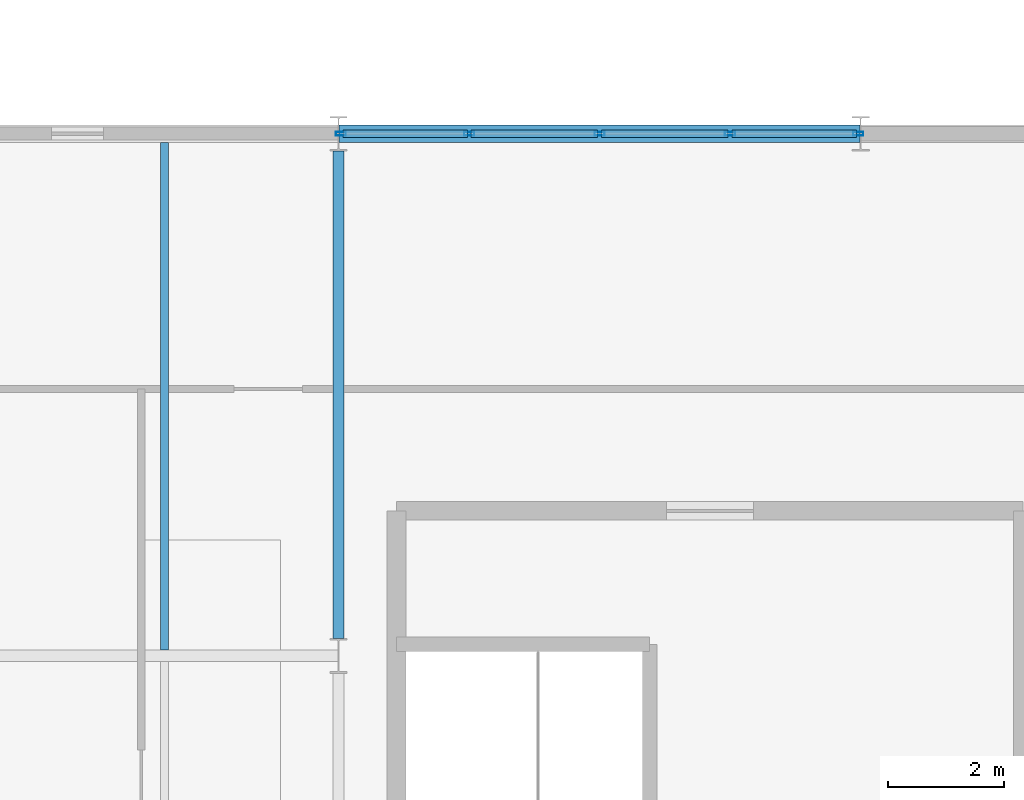
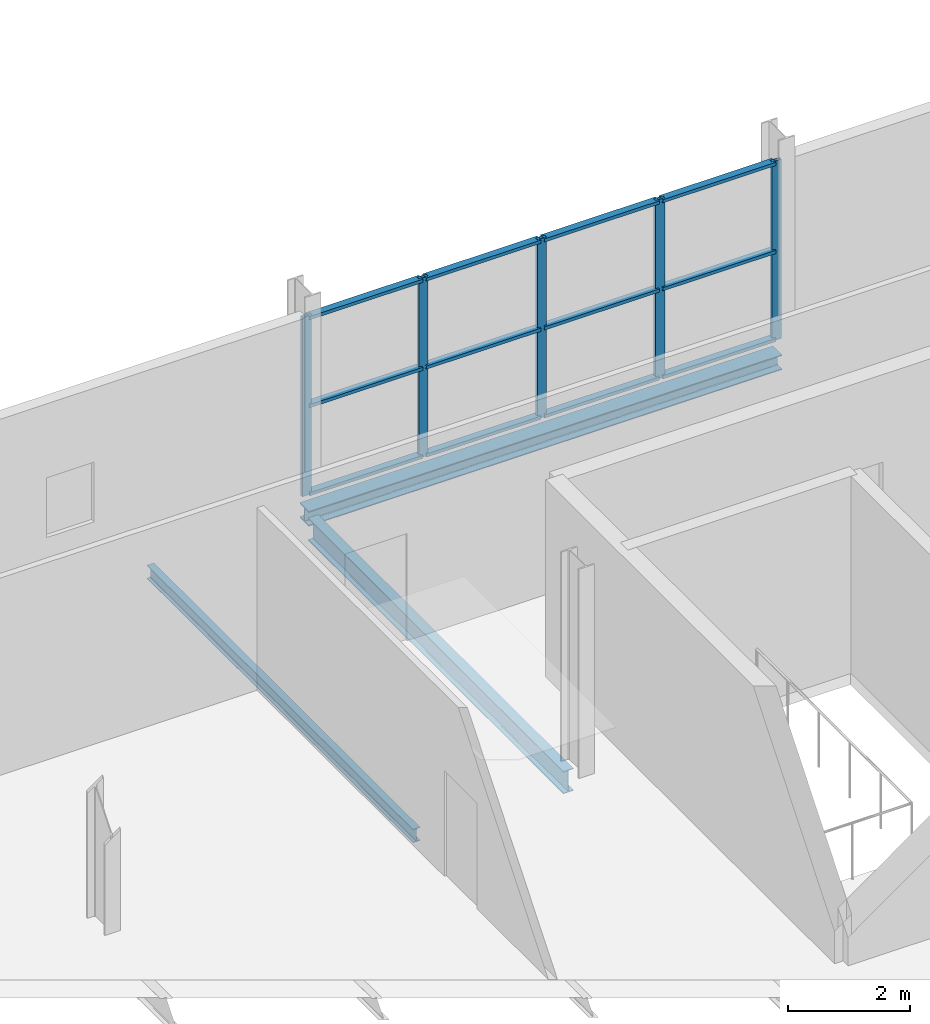
# One storey, part 27 of 44: 17 members, 3 beams, 1 element without a shape of its own.
"""IFC4 building model written with IfcOpenShell, lengths in metres."""

from ifc_helpers import new_model, si_unit, direction, frame, origin, origin_2d, place, context, subcontext, project, spatial, hollow_rectangle, i_section, extrude, material, layer, layer_set, material_profile, profile_set, type_object, element, aggregate, save


model = new_model("IFC4")

# Units and contexts
model_context = context("Model", 3, precision=1e-05, world=origin(), true_north=direction((0.0, 1.0)))
body_context = subcontext(model_context, "Body", "Model", "MODEL_VIEW")
ifc_project = project(units=[si_unit("LENGTHUNIT", "METRE"), si_unit("AREAUNIT", "SQUARE_METRE"), si_unit("VOLUMEUNIT", "CUBIC_METRE"), si_unit("PLANEANGLEUNIT", "RADIAN"), si_unit("MASSUNIT", "GRAM", prefix="KILO")], contexts=[model_context])

# Site, building, storey
site_placement = place(None, origin())
site = spatial("IfcSite", under=ifc_project, at=site_placement, CompositionType="ELEMENT")
building_placement = place(site_placement, origin())
building = spatial("IfcBuilding", under=site, at=building_placement, Name="Deido Ridge Mobility Hub", CompositionType="ELEMENT")
storey_placement = place(building_placement, frame((0.0, 0.0, 25.199951171875)))
storey = spatial("IfcBuildingStorey", under=building, at=storey_placement, Name="L06", CompositionType="ELEMENT", Elevation=25.199951171875)

# Beams
ifc_material_1 = material(Name="Steel S355J2 EN 10025-2", Category="steel")
ifc_material_profile_1 = material_profile(ifc_material_1, i_section(OverallWidth=0.18994140625, OverallDepth=0.449951171875, WebThickness=0.009521484375, FlangeThickness=0.0146484375, FilletRadius=0.02099609375, at=origin_2d()), Name="IPE 450")
ifc_profile_set_1 = profile_set([ifc_material_profile_1], Name="Steel S355J2 EN 10025-2")
beam_type_1 = type_object("IfcBeamType", Name="BM-IPE450", PredefinedType="BEAM", material=ifc_profile_set_1)
beam_1_placement = place(storey_placement, frame((162.0, 45.300048828125, -0.46484375), z_axis=(0.0, 1.0, 0.0), x_axis=(-1.0, 0.0, 0.0)))
element("IfcBeam", 1, at=beam_1_placement, inside=storey, type_object=beam_type_1, Name="Floor beam B4", PredefinedType="BEAM", context=body_context, shape_type="SweptSolid", body=[
    extrude(i_section(OverallWidth=0.18994140625, OverallDepth=0.449951171875, WebThickness=0.009521484375, FlangeThickness=0.0146484375, FilletRadius=0.02099609375, at=origin_2d()), origin(), (0.0, 0.0, 1.0), 8.39990234375),
])
ifc_material_profile_2 = material_profile(ifc_material_1, i_section(OverallWidth=0.135009765625, OverallDepth=0.27001953125, WebThickness=0.006591796875, FlangeThickness=0.01025390625, FilletRadius=0.014892578125, at=origin_2d()), Name="IPE 270")
ifc_profile_set_2 = profile_set([ifc_material_profile_2], Name="Steel S355J2 EN 10025-2")
beam_type_2 = type_object("IfcBeamType", Name="JST-IPE270", PredefinedType="JOIST", material=ifc_profile_set_2)
beam_2_placement = place(storey_placement, frame((159.0, 45.10009765625, -0.375), z_axis=(0.0, 1.0, 0.0), x_axis=(-1.0, 0.0, 0.0)))
element("IfcBeam", 2, at=beam_2_placement, inside=storey, type_object=beam_type_2, Name="Composite joist J4", PredefinedType="JOIST", context=body_context, shape_type="SweptSolid", body=[
    extrude(i_section(OverallWidth=0.135009765625, OverallDepth=0.27001953125, WebThickness=0.006591796875, FlangeThickness=0.01025390625, FilletRadius=0.014892578125, at=origin_2d()), origin(), (0.0, 0.0, 1.0), 8.75),
])

# Curtain wall, members
ifc_material_2 = material(Name="Anodised aluminium EN AW-6063 T6", Category="aluminium")
ifc_layer = layer(ifc_material_2, 0.132080078125, Name="Anodised aluminium EN AW-6063 T6")
ifc_layer_set = layer_set([ifc_layer], Name="Anodised aluminium EN AW-6063 T6")
curtain_wall_type = type_object("IfcCurtainWallType", Name="CW-GS-1", PredefinedType="USERDEFINED", material=ifc_layer_set)
curtain_wall_placement = place(storey_placement, origin())
curtain_wall = element("IfcCurtainWall", 3, at=curtain_wall_placement, inside=storey, type_object=curtain_wall_type, Name="Unitised curtain wall GS1", ObjectType="GLAZED SCREEN", PredefinedType="USERDEFINED")
ifc_material_profile_3 = material_profile(ifc_material_2, hollow_rectangle(XDim=0.06494140625, YDim=0.175048828125, WallThickness=0.00390625, at=origin_2d()), Name="RHS 65x175x4")
ifc_profile_set_3 = profile_set([ifc_material_profile_3], Name="Anodised aluminium EN AW-6063 T6")
member_type_1 = type_object("IfcMemberType", Name="MEM-MUL-65X175", PredefinedType="MULLION", material=ifc_profile_set_3)
member_1_placement = place(storey_placement, frame((162.040283203125, 54.0, 0.0), z_axis=(0.0, 0.0, 1.0), x_axis=(0.0, 1.0, 0.0)))
member_1 = element("IfcMember", 4, at=member_1_placement, type_object=member_type_1, Name="GS1 mullion 1", PredefinedType="MULLION", context=body_context, shape_type="SweptSolid", body=[
    extrude(hollow_rectangle(XDim=0.06494140625, YDim=0.175048828125, WallThickness=0.00390625, at=origin_2d()), origin(), (0.0, 0.0, 1.0), 3.60009765625),
])
member_2_placement = place(storey_placement, frame((164.25390625, 54.0, 0.0), z_axis=(0.0, 0.0, 1.0), x_axis=(0.0, 1.0, 0.0)))
member_2 = element("IfcMember", 5, at=member_2_placement, type_object=member_type_1, Name="GS1 mullion 2", PredefinedType="MULLION", context=body_context, shape_type="SweptSolid", body=[
    extrude(hollow_rectangle(XDim=0.06494140625, YDim=0.175048828125, WallThickness=0.00390625, at=origin_2d()), origin(), (0.0, 0.0, 1.0), 3.60009765625),
])
member_3_placement = place(storey_placement, frame((166.5, 54.0, 0.0), z_axis=(0.0, 0.0, 1.0), x_axis=(0.0, 1.0, 0.0)))
member_3 = element("IfcMember", 6, at=member_3_placement, type_object=member_type_1, Name="GS1 mullion 3", PredefinedType="MULLION", context=body_context, shape_type="SweptSolid", body=[
    extrude(hollow_rectangle(XDim=0.06494140625, YDim=0.175048828125, WallThickness=0.00390625, at=origin_2d()), origin(), (0.0, 0.0, 1.0), 3.60009765625),
])
member_4_placement = place(storey_placement, frame((168.74609375, 54.0, 0.0), z_axis=(0.0, 0.0, 1.0), x_axis=(0.0, 1.0, 0.0)))
member_4 = element("IfcMember", 7, at=member_4_placement, type_object=member_type_1, Name="GS1 mullion 4", PredefinedType="MULLION", context=body_context, shape_type="SweptSolid", body=[
    extrude(hollow_rectangle(XDim=0.06494140625, YDim=0.175048828125, WallThickness=0.00390625, at=origin_2d()), origin(), (0.0, 0.0, 1.0), 3.60009765625),
])
member_5_placement = place(storey_placement, frame((170.959716796875, 54.0, 0.0), z_axis=(0.0, 0.0, 1.0), x_axis=(0.0, 1.0, 0.0)))
member_5 = element("IfcMember", 8, at=member_5_placement, type_object=member_type_1, Name="GS1 mullion 5", PredefinedType="MULLION", context=body_context, shape_type="SweptSolid", body=[
    extrude(hollow_rectangle(XDim=0.06494140625, YDim=0.175048828125, WallThickness=0.00390625, at=origin_2d()), origin(), (0.0, 0.0, 1.0), 3.60009765625),
])
ifc_material_profile_4 = material_profile(ifc_material_2, hollow_rectangle(XDim=0.135009765625, YDim=0.06494140625, WallThickness=0.00390625, at=origin_2d()), Name="RHS 135x65x4")
ifc_profile_set_4 = profile_set([ifc_material_profile_4], Name="Anodised aluminium EN AW-6063 T6")
member_type_2 = type_object("IfcMemberType", Name="MEM-TRN-135X65", PredefinedType="USERDEFINED", material=ifc_profile_set_4)
member_6_placement = place(storey_placement, frame((162.07275390625, 54.0, 0.032470703125), z_axis=(1.0, 0.0, 0.0), x_axis=(0.0, 1.0, 0.0)))
member_6 = element("IfcMember", 9, at=member_6_placement, type_object=member_type_2, Name="GS1 transom 1.1", ObjectType="TRANSOM", PredefinedType="USERDEFINED", context=body_context, shape_type="SweptSolid", body=[
    extrude(hollow_rectangle(XDim=0.135009765625, YDim=0.06494140625, WallThickness=0.00390625, at=origin_2d()), origin(), (0.0, 0.0, 1.0), 2.148681640625),
])
member_7_placement = place(storey_placement, frame((162.07275390625, 54.0, 1.800048828125), z_axis=(1.0, 0.0, 0.0), x_axis=(0.0, 1.0, 0.0)))
member_7 = element("IfcMember", 10, at=member_7_placement, type_object=member_type_2, Name="GS1 transom 1.2", ObjectType="TRANSOM", PredefinedType="USERDEFINED", context=body_context, shape_type="SweptSolid", body=[
    extrude(hollow_rectangle(XDim=0.135009765625, YDim=0.06494140625, WallThickness=0.00390625, at=origin_2d()), origin(), (0.0, 0.0, 1.0), 2.148681640625),
])
member_8_placement = place(storey_placement, frame((162.07275390625, 54.0, 3.567626953125), z_axis=(1.0, 0.0, 0.0), x_axis=(0.0, 1.0, 0.0)))
member_8 = element("IfcMember", 11, at=member_8_placement, type_object=member_type_2, Name="GS1 transom 1.3", ObjectType="TRANSOM", PredefinedType="USERDEFINED", context=body_context, shape_type="SweptSolid", body=[
    extrude(hollow_rectangle(XDim=0.135009765625, YDim=0.06494140625, WallThickness=0.00390625, at=origin_2d()), origin(), (0.0, 0.0, 1.0), 2.148681640625),
])
member_9_placement = place(storey_placement, frame((164.286376953125, 54.0, 0.032470703125), z_axis=(1.0, 0.0, 0.0), x_axis=(0.0, 1.0, 0.0)))
member_9 = element("IfcMember", 12, at=member_9_placement, type_object=member_type_2, Name="GS1 transom 2.1", ObjectType="TRANSOM", PredefinedType="USERDEFINED", context=body_context, shape_type="SweptSolid", body=[
    extrude(hollow_rectangle(XDim=0.135009765625, YDim=0.06494140625, WallThickness=0.00390625, at=origin_2d()), origin(), (0.0, 0.0, 1.0), 2.18115234375),
])
member_10_placement = place(storey_placement, frame((164.286376953125, 54.0, 1.800048828125), z_axis=(1.0, 0.0, 0.0), x_axis=(0.0, 1.0, 0.0)))
member_10 = element("IfcMember", 13, at=member_10_placement, type_object=member_type_2, Name="GS1 transom 2.2", ObjectType="TRANSOM", PredefinedType="USERDEFINED", context=body_context, shape_type="SweptSolid", body=[
    extrude(hollow_rectangle(XDim=0.135009765625, YDim=0.06494140625, WallThickness=0.00390625, at=origin_2d()), origin(), (0.0, 0.0, 1.0), 2.18115234375),
])
member_11_placement = place(storey_placement, frame((164.286376953125, 54.0, 3.567626953125), z_axis=(1.0, 0.0, 0.0), x_axis=(0.0, 1.0, 0.0)))
member_11 = element("IfcMember", 14, at=member_11_placement, type_object=member_type_2, Name="GS1 transom 2.3", ObjectType="TRANSOM", PredefinedType="USERDEFINED", context=body_context, shape_type="SweptSolid", body=[
    extrude(hollow_rectangle(XDim=0.135009765625, YDim=0.06494140625, WallThickness=0.00390625, at=origin_2d()), origin(), (0.0, 0.0, 1.0), 2.18115234375),
])
member_12_placement = place(storey_placement, frame((166.532470703125, 54.0, 0.032470703125), z_axis=(1.0, 0.0, 0.0), x_axis=(0.0, 1.0, 0.0)))
member_12 = element("IfcMember", 15, at=member_12_placement, type_object=member_type_2, Name="GS1 transom 3.1", ObjectType="TRANSOM", PredefinedType="USERDEFINED", context=body_context, shape_type="SweptSolid", body=[
    extrude(hollow_rectangle(XDim=0.135009765625, YDim=0.06494140625, WallThickness=0.00390625, at=origin_2d()), origin(), (0.0, 0.0, 1.0), 2.18115234375),
])
member_13_placement = place(storey_placement, frame((166.532470703125, 54.0, 1.800048828125), z_axis=(1.0, 0.0, 0.0), x_axis=(0.0, 1.0, 0.0)))
member_13 = element("IfcMember", 16, at=member_13_placement, type_object=member_type_2, Name="GS1 transom 3.2", ObjectType="TRANSOM", PredefinedType="USERDEFINED", context=body_context, shape_type="SweptSolid", body=[
    extrude(hollow_rectangle(XDim=0.135009765625, YDim=0.06494140625, WallThickness=0.00390625, at=origin_2d()), origin(), (0.0, 0.0, 1.0), 2.18115234375),
])
member_14_placement = place(storey_placement, frame((166.532470703125, 54.0, 3.567626953125), z_axis=(1.0, 0.0, 0.0), x_axis=(0.0, 1.0, 0.0)))
member_14 = element("IfcMember", 17, at=member_14_placement, type_object=member_type_2, Name="GS1 transom 3.3", ObjectType="TRANSOM", PredefinedType="USERDEFINED", context=body_context, shape_type="SweptSolid", body=[
    extrude(hollow_rectangle(XDim=0.135009765625, YDim=0.06494140625, WallThickness=0.00390625, at=origin_2d()), origin(), (0.0, 0.0, 1.0), 2.18115234375),
])
member_15_placement = place(storey_placement, frame((168.778564453125, 54.0, 0.032470703125), z_axis=(1.0, 0.0, 0.0), x_axis=(0.0, 1.0, 0.0)))
member_15 = element("IfcMember", 18, at=member_15_placement, type_object=member_type_2, Name="GS1 transom 4.1", ObjectType="TRANSOM", PredefinedType="USERDEFINED", context=body_context, shape_type="SweptSolid", body=[
    extrude(hollow_rectangle(XDim=0.135009765625, YDim=0.06494140625, WallThickness=0.00390625, at=origin_2d()), origin(), (0.0, 0.0, 1.0), 2.148681640625),
])
member_16_placement = place(storey_placement, frame((168.778564453125, 54.0, 1.800048828125), z_axis=(1.0, 0.0, 0.0), x_axis=(0.0, 1.0, 0.0)))
member_16 = element("IfcMember", 19, at=member_16_placement, type_object=member_type_2, Name="GS1 transom 4.2", ObjectType="TRANSOM", PredefinedType="USERDEFINED", context=body_context, shape_type="SweptSolid", body=[
    extrude(hollow_rectangle(XDim=0.135009765625, YDim=0.06494140625, WallThickness=0.00390625, at=origin_2d()), origin(), (0.0, 0.0, 1.0), 2.148681640625),
])
member_17_placement = place(storey_placement, frame((168.778564453125, 54.0, 3.567626953125), z_axis=(1.0, 0.0, 0.0), x_axis=(0.0, 1.0, 0.0)))
member_17 = element("IfcMember", 20, at=member_17_placement, type_object=member_type_2, Name="GS1 transom 4.3", ObjectType="TRANSOM", PredefinedType="USERDEFINED", context=body_context, shape_type="SweptSolid", body=[
    extrude(hollow_rectangle(XDim=0.135009765625, YDim=0.06494140625, WallThickness=0.00390625, at=origin_2d()), origin(), (0.0, 0.0, 1.0), 2.148681640625),
])
aggregate(curtain_wall, [member_1, member_2, member_3, member_4, member_5, member_6, member_7, member_8, member_9, member_10, member_11, member_12, member_13, member_14, member_15, member_16, member_17])

# Beam
ifc_material_profile_5 = material_profile(ifc_material_1, i_section(OverallWidth=0.300048828125, OverallDepth=0.300048828125, WebThickness=0.010986328125, FlangeThickness=0.01904296875, FilletRadius=0.027099609375, at=origin_2d()), Name="HEB 300")
ifc_profile_set_5 = profile_set([ifc_material_profile_5], Name="Steel S355J2 EN 10025-2")
beam_type_3 = type_object("IfcBeamType", Name="SPD-HEB300", PredefinedType="SPANDREL", material=ifc_profile_set_5)
beam_3_placement = place(storey_placement, frame((162.0078125, 54.0, -0.389892578125), z_axis=(1.0, 0.0, 0.0), x_axis=(0.0, 1.0, 0.0)))
element("IfcBeam", 21, at=beam_3_placement, inside=storey, type_object=beam_type_3, Name="Floor beam SP1", PredefinedType="SPANDREL", context=body_context, shape_type="SweptSolid", body=[
    extrude(i_section(OverallWidth=0.300048828125, OverallDepth=0.300048828125, WebThickness=0.010986328125, FlangeThickness=0.01904296875, FilletRadius=0.027099609375, at=origin_2d()), origin(), (0.0, 0.0, 1.0), 8.984375),
])

save(model, "model.ifc")
